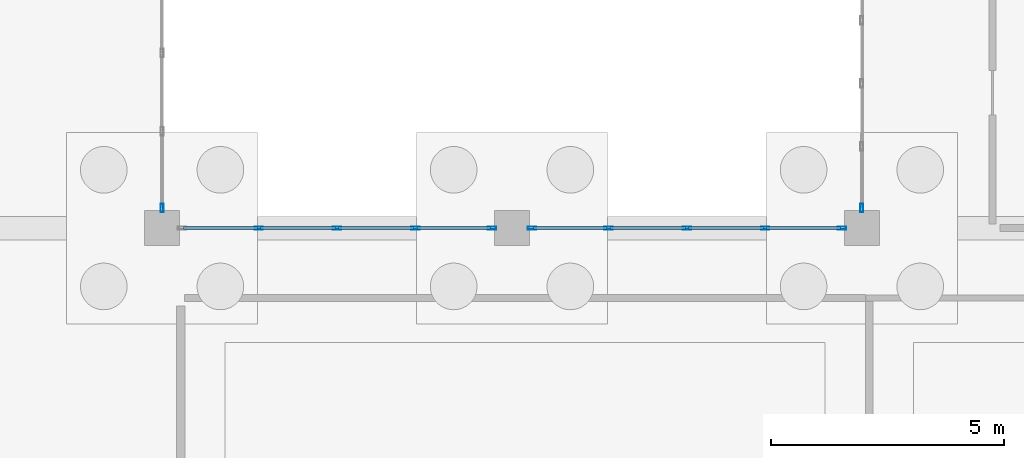
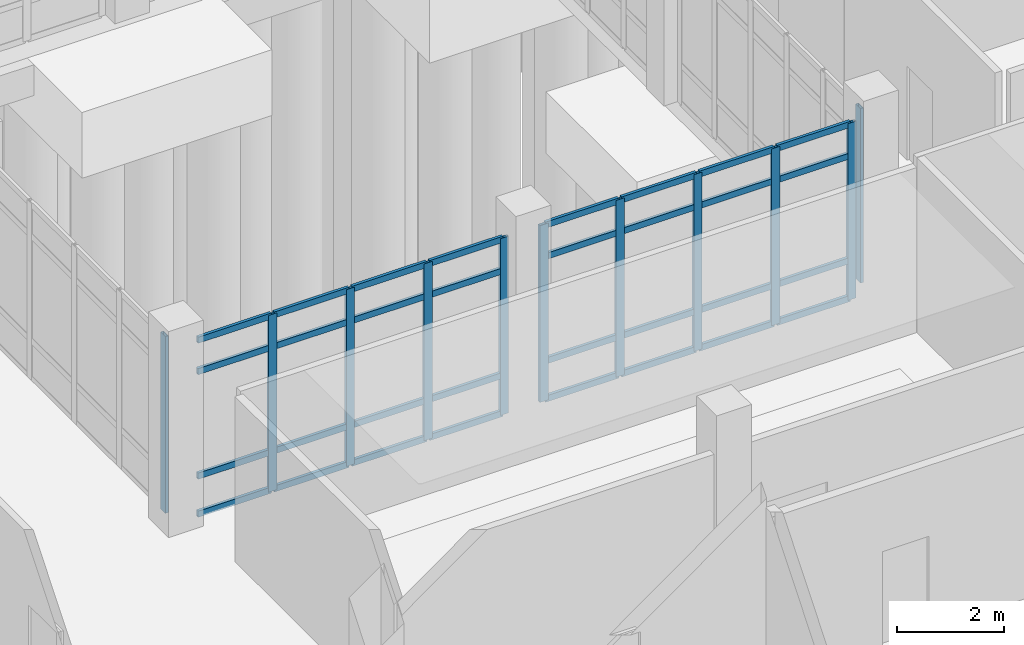
# One storey, part 26 of 173: 43 members, 4 elements without a shape of their own.
"""IFC4 building model written with IfcOpenShell, lengths in metres."""

import ifcopenshell
import ifcopenshell.guid

model = None  # the IFC model being written
_history = None  # IfcOwnerHistory: only IFC2X3 demands one
_inside = {}  # id of a spatial element -> (the spatial element, [elements in it])
_under = {}  # id of a project, library or spatial element -> (it, [spatial elements below it])
_declared = {}  # id of a project -> (the project, [libraries it declares])
_typed = {}  # id of a type object -> (the type object, [elements of that type])
_made_of = {}  # id of a material, layer set ... -> (it, [elements and type objects made of it])


def new_model(schema):
    """Start an empty IFC model of exactly this schema.

    Asked for "IFC4X3", IfcOpenShell would pick the latest addendum, in which some entities
    have other attributes; the version numbers below select the first issue.
    IFC2X3 requires an IfcOwnerHistory on every rooted entity: one is made here for all.
    """
    global model, _history
    if schema == "IFC4X3":
        model = ifcopenshell.file(schema_version=(4, 3, 0, 0))
    else:
        model = ifcopenshell.file(schema=schema)
    _inside.clear()
    _under.clear()
    _declared.clear()
    _typed.clear()
    _made_of.clear()
    _history = None
    if model.schema == "IFC2X3":
        org = make("IfcOrganization", Name="unknown")
        user = make(
            "IfcPersonAndOrganization",
            ThePerson=make("IfcPerson", FamilyName="unknown"),
            TheOrganization=org,
        )
        app = make(
            "IfcApplication",
            ApplicationDeveloper=org,
            Version="unknown",
            ApplicationFullName="unknown",
            ApplicationIdentifier="unknown",
        )
        _history = make(
            "IfcOwnerHistory",
            OwningUser=user,
            OwningApplication=app,
            ChangeAction="ADDED",
            CreationDate=0,
        )
    return model


def make(cls, **values):
    """One entity of the class cls with the attributes given. An attribute that is None is left unset."""
    return model.create_entity(
        cls, **{name: value for name, value in values.items() if value is not None}
    )


def rooted(cls, **values):
    """An entity with a GlobalId (a new one), such as an element, a storey or a relation."""
    return make(cls, GlobalId=ifcopenshell.guid.new(), OwnerHistory=_history, **values)


def si_unit(unit_type, name, prefix=None):
    """IfcSIUnit, for example si_unit("LENGTHUNIT", "METRE", prefix="MILLI")."""
    return make("IfcSIUnit", UnitType=unit_type, Prefix=prefix, Name=name)


def assignment(units):
    """IfcUnitAssignment: the units of a project."""
    return None if units is None else make("IfcUnitAssignment", Units=units)


def point(xyz):
    """IfcCartesianPoint."""
    return None if xyz is None else make("IfcCartesianPoint", Coordinates=xyz)


def direction(xyz):
    """IfcDirection."""
    return None if xyz is None else make("IfcDirection", DirectionRatios=xyz)


def frame(location, z_axis=None, x_axis=None):
    """IfcAxis2Placement3D, a coordinate frame: its origin and axes. An axis left out is left unset."""
    return make(
        "IfcAxis2Placement3D",
        Location=point(location),
        Axis=direction(z_axis),
        RefDirection=direction(x_axis),
    )


def frame_2d(location, x_axis=None):
    """IfcAxis2Placement2D, a coordinate frame in the plane: its origin and x axis."""
    return make(
        "IfcAxis2Placement2D", Location=point(location), RefDirection=direction(x_axis)
    )


def origin():
    """The frame at (0, 0, 0) with its axes left unset."""
    return frame((0.0, 0.0, 0.0))


def origin_2d():
    """The frame at (0, 0) in the plane with its x axis left unset."""
    return frame_2d((0.0, 0.0))


def place(relative_to, where):
    """IfcLocalPlacement: puts the frame where relative to a parent placement (None: the world)."""
    return make(
        "IfcLocalPlacement", PlacementRelTo=relative_to, RelativePlacement=where
    )


def context(
    kind, dimensions, precision=None, world=None, true_north=None, identifier=None
):
    """IfcGeometricRepresentationContext, for example the 3D "Model" context."""
    return make(
        "IfcGeometricRepresentationContext",
        ContextIdentifier=identifier,
        ContextType=kind,
        CoordinateSpaceDimension=dimensions,
        Precision=precision,
        WorldCoordinateSystem=world,
        TrueNorth=true_north,
    )


def subcontext(parent, identifier, kind, view, scale=None):
    """IfcGeometricRepresentationSubContext, for example "Body" below "Model"."""
    return make(
        "IfcGeometricRepresentationSubContext",
        ContextIdentifier=identifier,
        ContextType=kind,
        ParentContext=parent,
        TargetScale=scale,
        TargetView=view,
    )


def project(units=None, contexts=None):
    """IfcProject with its units and contexts."""
    return rooted(
        "IfcProject",
        Name="project",
        RepresentationContexts=contexts,
        UnitsInContext=assignment(units),
    )


def spatial(cls, under=None, at=None, **own):
    """A site, building, storey or space (cls), placed at a placement, below another one or the project."""
    s = rooted(cls, ObjectPlacement=at, **own)
    if under is not None:
        _under.setdefault(under.id(), (under, []))[1].append(s)
    return s


def profile(cls, at=None, kind="AREA", **sizes):
    """A parametric profile (cls). Its sizes go by their IFC names, for example OverallWidth=200.0."""
    return make(cls, ProfileType=kind, Position=at, **sizes)


def hollow_rectangle(**sizes):
    """IfcRectangleHollowProfileDef."""
    return profile("IfcRectangleHollowProfileDef", **sizes)


def extrude(swept, where, along, depth):
    """IfcExtrudedAreaSolid: the profile swept, set in the frame where, extruded along a direction by depth."""
    return make(
        "IfcExtrudedAreaSolid",
        SweptArea=swept,
        Position=where,
        ExtrudedDirection=direction(along),
        Depth=depth,
    )


def shape(context_of_items, identifier, shape_type, items):
    """IfcShapeRepresentation: the items that make up one representation, for example the "Body"."""
    return make(
        "IfcShapeRepresentation",
        ContextOfItems=context_of_items,
        RepresentationIdentifier=identifier,
        RepresentationType=shape_type,
        Items=items,
    )


def material(Name=None, Category=None):
    """IfcMaterial."""
    return make("IfcMaterial", Name=Name, Category=Category)


def layer(
    of_material, thickness, ventilated=None, Name=None, Category=None, Priority=None
):
    """IfcMaterialLayer: one layer of a wall or slab, of a material (None: an air gap)."""
    return make(
        "IfcMaterialLayer",
        Material=of_material,
        LayerThickness=thickness,
        IsVentilated=ventilated,
        Name=Name,
        Category=Category,
        Priority=Priority,
    )


def layer_set(layers, Name=None):
    """IfcMaterialLayerSet."""
    return make("IfcMaterialLayerSet", MaterialLayers=layers, LayerSetName=Name)


def material_profile(
    of_material, cross_section, Name=None, Category=None, Priority=None
):
    """IfcMaterialProfile: a cross section and its material."""
    return make(
        "IfcMaterialProfile",
        Name=Name,
        Material=of_material,
        Profile=cross_section,
        Priority=Priority,
        Category=Category,
    )


def profile_set(profiles, Name=None, composite=None):
    """IfcMaterialProfileSet."""
    return make(
        "IfcMaterialProfileSet",
        Name=Name,
        MaterialProfiles=profiles,
        CompositeProfile=composite,
    )


def made_of(thing, what):
    """Note that an element or type object is made of a material, layer set ...; save() writes the relation."""
    if what is not None:
        _made_of.setdefault(what.id(), (what, []))[1].append(thing)
    return thing


def type_object(cls, material=None, **own):
    """A type object (cls), such as IfcWallType, which elements share."""
    return made_of(rooted(cls, **own), material)


def element(
    cls,
    number,
    at=None,
    inside=None,
    cuts=None,
    type_object=None,
    material=None,
    context=None,
    identifier="Body",
    shape_type=None,
    held_by="IfcProductDefinitionShape",
    body=None,
    shapes=None,
    **own,
):
    """One element of the class cls, such as IfcWall. Its Tag is "e" and its number.

    at: its placement. inside: the storey or other place that contains it. cuts: it is an
    opening in that element (IfcRelVoidsElement). A single representation is given by context,
    identifier, shape_type and body (its items); several are given by shapes. held_by: the class
    of the entity that holds the representations. save() writes the other relations.
    """
    e = rooted(cls, Tag="e%d" % number, ObjectPlacement=at, **own)
    if body is not None:
        shapes = [shape(context, identifier, shape_type, body)]
    if shapes is not None:
        e.Representation = make(held_by, Representations=shapes)
    if inside is not None:
        _inside.setdefault(inside.id(), (inside, []))[1].append(e)
    if cuts is not None:
        rooted(
            "IfcRelVoidsElement", RelatingBuildingElement=cuts, RelatedOpeningElement=e
        )
    if type_object is not None:
        _typed.setdefault(type_object.id(), (type_object, []))[1].append(e)
    return made_of(e, material)


def aggregate(whole, parts):
    """IfcRelAggregates: a whole, such as a stair, and the parts it consists of."""
    return rooted("IfcRelAggregates", RelatingObject=whole, RelatedObjects=parts)


def save(model, path):
    """Write the relations noted so far, then the file.

    IfcRelAggregates (storeys below a building ...), IfcRelContainedInSpatialStructure (elements
    in a storey), IfcRelDefinesByType, IfcRelAssociatesMaterial and IfcRelDeclares: one each for
    every whole, place, type object, material and project.
    """
    for whole, parts in _under.values():
        aggregate(whole, parts)
    for where, things in _inside.values():
        rooted(
            "IfcRelContainedInSpatialStructure",
            RelatedElements=things,
            RelatingStructure=where,
        )
    for kind, things in _typed.values():
        rooted("IfcRelDefinesByType", RelatedObjects=things, RelatingType=kind)
    for what, things in _made_of.values():
        rooted("IfcRelAssociatesMaterial", RelatedObjects=things, RelatingMaterial=what)
    for by, libraries in _declared.values():
        rooted("IfcRelDeclares", RelatingContext=by, RelatedDefinitions=libraries)
    model.write(path)


model = new_model("IFC4")

# Units and contexts
model_context = context("Model", 3, precision=1e-05, world=origin(), true_north=direction((0.0, 1.0)))
body_context = subcontext(model_context, "Body", "Model", "MODEL_VIEW")
ifc_project = project(units=[si_unit("LENGTHUNIT", "METRE"), si_unit("AREAUNIT", "SQUARE_METRE"), si_unit("VOLUMEUNIT", "CUBIC_METRE"), si_unit("PLANEANGLEUNIT", "RADIAN"), si_unit("MASSUNIT", "GRAM", prefix="KILO")], contexts=[model_context])

# Site, building, storey
site_placement = place(None, origin())
site = spatial("IfcSite", under=ifc_project, at=site_placement, CompositionType="ELEMENT")
building_placement = place(site_placement, origin())
building = spatial("IfcBuilding", under=site, at=building_placement, Name="Mawjan Specialist Oncology Clinic", CompositionType="ELEMENT")
storey_placement = place(building_placement, origin())
storey = spatial("IfcBuildingStorey", under=building, at=storey_placement, Name="L00", CompositionType="ELEMENT", Elevation=0.0)

# Curtain wall, members
ifc_material_1 = material(Name="Unitised spectrally selective aluminium curtain wall", Category="aluminium")
ifc_layer_1 = layer(ifc_material_1, 0.179931640625, Name="Unitised spectrally selective aluminium curtain wall", Category="aluminium")
ifc_layer_set_1 = layer_set([ifc_layer_1], Name="Unitised spectrally selective aluminium curtain wall")
curtain_wall_type_1 = type_object("IfcCurtainWallType", Name="CW-02", PredefinedType="NOTDEFINED", material=ifc_layer_set_1)
curtain_wall_1_placement = place(storey_placement, origin())
curtain_wall_1 = element("IfcCurtainWall", 1, at=curtain_wall_1_placement, inside=storey, type_object=curtain_wall_type_1, Name="L00 Unitised Curtain Wall CW-L00-048", PredefinedType="NOTDEFINED")
ifc_material_2 = material(Name="Thermally broken aluminium 6063-T6", Category="aluminium")
ifc_material_profile_1 = material_profile(ifc_material_2, hollow_rectangle(XDim=0.06494140625, YDim=0.179931640625, WallThickness=0.00390625, at=origin_2d()), Name="ALU MULLION 180x65x4", Category="aluminium")
ifc_profile_set_1 = profile_set([ifc_material_profile_1], Name="Thermally broken aluminium 6063-T6")
member_type_1 = type_object("IfcMemberType", Name="CW-M180", PredefinedType="MULLION", material=ifc_profile_set_1)
member_1_placement = place(storey_placement, frame((17.072509765625, 15.800048828125, 0.0), z_axis=(0.0, 0.0, 1.0), x_axis=(0.0, 1.0, 0.0)))
member_1 = element("IfcMember", 2, at=member_1_placement, type_object=member_type_1, Name="CW-02 mullion 2", PredefinedType="MULLION", context=body_context, shape_type="SweptSolid", body=[
    extrude(hollow_rectangle(XDim=0.06494140625, YDim=0.179931640625, WallThickness=0.00390625, at=origin_2d()), origin(), (0.0, 0.0, 1.0), 4.034912109375),
])
member_2_placement = place(storey_placement, frame((18.75, 15.800048828125, 0.0), z_axis=(0.0, 0.0, 1.0), x_axis=(0.0, 1.0, 0.0)))
member_2 = element("IfcMember", 3, at=member_2_placement, type_object=member_type_1, Name="CW-02 mullion 3", PredefinedType="MULLION", context=body_context, shape_type="SweptSolid", body=[
    extrude(hollow_rectangle(XDim=0.06494140625, YDim=0.179931640625, WallThickness=0.00390625, at=origin_2d()), origin(), (0.0, 0.0, 1.0), 4.034912109375),
])
member_3_placement = place(storey_placement, frame((20.427490234375, 15.800048828125, 0.0), z_axis=(0.0, 0.0, 1.0), x_axis=(0.0, 1.0, 0.0)))
member_3 = element("IfcMember", 4, at=member_3_placement, type_object=member_type_1, Name="CW-02 mullion 4", PredefinedType="MULLION", context=body_context, shape_type="SweptSolid", body=[
    extrude(hollow_rectangle(XDim=0.06494140625, YDim=0.179931640625, WallThickness=0.00390625, at=origin_2d()), origin(), (0.0, 0.0, 1.0), 4.034912109375),
])
member_4_placement = place(storey_placement, frame((22.072509765625, 15.800048828125, 0.0), z_axis=(0.0, 0.0, 1.0), x_axis=(0.0, 1.0, 0.0)))
member_4 = element("IfcMember", 5, at=member_4_placement, type_object=member_type_1, Name="CW-02 mullion 5", PredefinedType="MULLION", context=body_context, shape_type="SweptSolid", body=[
    extrude(hollow_rectangle(XDim=0.06494140625, YDim=0.179931640625, WallThickness=0.00390625, at=origin_2d()), origin(), (0.0, 0.0, 1.0), 4.034912109375),
])

curtain_wall_2_placement = place(storey_placement, origin())
curtain_wall_2 = element("IfcCurtainWall", 6, at=curtain_wall_2_placement, inside=storey, type_object=curtain_wall_type_1, Name="L00 Unitised Curtain Wall CW-L00-049", PredefinedType="NOTDEFINED")
member_5_placement = place(storey_placement, frame((22.927490234375, 15.800048828125, 0.0), z_axis=(0.0, 0.0, 1.0), x_axis=(0.0, 1.0, 0.0)))
member_5 = element("IfcMember", 7, at=member_5_placement, type_object=member_type_1, Name="CW-02 mullion 1", PredefinedType="MULLION", context=body_context, shape_type="SweptSolid", body=[
    extrude(hollow_rectangle(XDim=0.06494140625, YDim=0.179931640625, WallThickness=0.00390625, at=origin_2d()), origin(), (0.0, 0.0, 1.0), 4.034912109375),
])
member_6_placement = place(storey_placement, frame((24.572509765625, 15.800048828125, 0.0), z_axis=(0.0, 0.0, 1.0), x_axis=(0.0, 1.0, 0.0)))
member_6 = element("IfcMember", 8, at=member_6_placement, type_object=member_type_1, Name="CW-02 mullion 2", PredefinedType="MULLION", context=body_context, shape_type="SweptSolid", body=[
    extrude(hollow_rectangle(XDim=0.06494140625, YDim=0.179931640625, WallThickness=0.00390625, at=origin_2d()), origin(), (0.0, 0.0, 1.0), 4.034912109375),
])
member_7_placement = place(storey_placement, frame((26.25, 15.800048828125, 0.0), z_axis=(0.0, 0.0, 1.0), x_axis=(0.0, 1.0, 0.0)))
member_7 = element("IfcMember", 9, at=member_7_placement, type_object=member_type_1, Name="CW-02 mullion 3", PredefinedType="MULLION", context=body_context, shape_type="SweptSolid", body=[
    extrude(hollow_rectangle(XDim=0.06494140625, YDim=0.179931640625, WallThickness=0.00390625, at=origin_2d()), origin(), (0.0, 0.0, 1.0), 4.034912109375),
])
member_8_placement = place(storey_placement, frame((27.927490234375, 15.800048828125, 0.0), z_axis=(0.0, 0.0, 1.0), x_axis=(0.0, 1.0, 0.0)))
member_8 = element("IfcMember", 10, at=member_8_placement, type_object=member_type_1, Name="CW-02 mullion 4", PredefinedType="MULLION", context=body_context, shape_type="SweptSolid", body=[
    extrude(hollow_rectangle(XDim=0.06494140625, YDim=0.179931640625, WallThickness=0.00390625, at=origin_2d()), origin(), (0.0, 0.0, 1.0), 4.034912109375),
])
member_9_placement = place(storey_placement, frame((29.572509765625, 15.800048828125, 0.0), z_axis=(0.0, 0.0, 1.0), x_axis=(0.0, 1.0, 0.0)))
member_9 = element("IfcMember", 11, at=member_9_placement, type_object=member_type_1, Name="CW-02 mullion 5", PredefinedType="MULLION", context=body_context, shape_type="SweptSolid", body=[
    extrude(hollow_rectangle(XDim=0.06494140625, YDim=0.179931640625, WallThickness=0.00390625, at=origin_2d()), origin(), (0.0, 0.0, 1.0), 4.034912109375),
])

# Curtain wall, member
ifc_material_3 = material(Name="Unitised spectrally selective aluminium curtain wall", Category="aluminium")
ifc_layer_2 = layer(ifc_material_3, 0.179931640625, Name="Unitised spectrally selective aluminium curtain wall", Category="aluminium")
ifc_layer_set_2 = layer_set([ifc_layer_2], Name="Unitised spectrally selective aluminium curtain wall")
curtain_wall_type_2 = type_object("IfcCurtainWallType", Name="CW-28", PredefinedType="NOTDEFINED", material=ifc_layer_set_2)
curtain_wall_3_placement = place(storey_placement, origin())
curtain_wall_3 = element("IfcCurtainWall", 12, at=curtain_wall_3_placement, inside=storey, type_object=curtain_wall_type_2, Name="L00 Unitised Curtain Wall CW-L00-050", PredefinedType="NOTDEFINED")
member_10_placement = place(storey_placement, frame((30.0, 16.2275390625, 0.0), z_axis=(0.0, 0.0, 1.0), x_axis=(-1.0, 0.0, 0.0)))
member_10 = element("IfcMember", 13, at=member_10_placement, type_object=member_type_1, Name="CW-28 mullion 1", PredefinedType="MULLION", context=body_context, shape_type="SweptSolid", body=[
    extrude(hollow_rectangle(XDim=0.06494140625, YDim=0.179931640625, WallThickness=0.00390625, at=origin_2d()), origin(), (0.0, 0.0, 1.0), 3.985107421875),
])
aggregate(curtain_wall_3, [member_10])

curtain_wall_4_placement = place(storey_placement, origin())
curtain_wall_4 = element("IfcCurtainWall", 14, at=curtain_wall_4_placement, inside=storey, type_object=curtain_wall_type_1, Name="L00 Unitised Curtain Wall CW-L00-055", PredefinedType="NOTDEFINED")
member_11_placement = place(storey_placement, frame((15.0, 16.2275390625, 0.0), z_axis=(0.0, 0.0, 1.0), x_axis=(1.0, 0.0, 0.0)))
member_11 = element("IfcMember", 15, at=member_11_placement, type_object=member_type_1, Name="CW-02 mullion 5", PredefinedType="MULLION", context=body_context, shape_type="SweptSolid", body=[
    extrude(hollow_rectangle(XDim=0.06494140625, YDim=0.179931640625, WallThickness=0.00390625, at=origin_2d()), origin(), (0.0, 0.0, 1.0), 4.034912109375),
])
aggregate(curtain_wall_4, [member_11])

# Member
ifc_material_4 = material(Name="Thermally broken aluminium 6063-T6", Category="aluminium")
ifc_material_profile_2 = material_profile(ifc_material_4, hollow_rectangle(XDim=0.06494140625, YDim=0.139892578125, WallThickness=0.00390625, at=origin_2d()), Name="ALU TRANSOM 140x65x4", Category="aluminium")
ifc_profile_set_2 = profile_set([ifc_material_profile_2], Name="Thermally broken aluminium 6063-T6")
member_type_2 = type_object("IfcMemberType", Name="CW-T140", PredefinedType="USERDEFINED", material=ifc_profile_set_2)
member_12_placement = place(storey_placement, frame((15.4599609375, 15.800048828125, 0.032470703125), z_axis=(1.0, 0.0, 0.0), x_axis=(0.0, 1.0, 0.0)))
member_12 = element("IfcMember", 16, at=member_12_placement, type_object=member_type_2, Name="CW-02 transom 1.1", ObjectType="TRANSOM", PredefinedType="USERDEFINED", context=body_context, shape_type="SweptSolid", body=[
    extrude(hollow_rectangle(XDim=0.06494140625, YDim=0.139892578125, WallThickness=0.00390625, at=origin_2d()), origin(), (0.0, 0.0, 1.0), 1.580078125),
])

member_13_placement = place(storey_placement, frame((15.4599609375, 15.800048828125, 0.89990234375), z_axis=(1.0, 0.0, 0.0), x_axis=(0.0, 1.0, 0.0)))
member_13 = element("IfcMember", 17, at=member_13_placement, type_object=member_type_2, Name="CW-02 transom 1.2", ObjectType="TRANSOM", PredefinedType="USERDEFINED", context=body_context, shape_type="SweptSolid", body=[
    extrude(hollow_rectangle(XDim=0.06494140625, YDim=0.139892578125, WallThickness=0.00390625, at=origin_2d()), origin(), (0.0, 0.0, 1.0), 1.580078125),
])

member_14_placement = place(storey_placement, frame((15.4599609375, 15.800048828125, 3.284912109375), z_axis=(1.0, 0.0, 0.0), x_axis=(0.0, 1.0, 0.0)))
member_14 = element("IfcMember", 18, at=member_14_placement, type_object=member_type_2, Name="CW-02 transom 1.3", ObjectType="TRANSOM", PredefinedType="USERDEFINED", context=body_context, shape_type="SweptSolid", body=[
    extrude(hollow_rectangle(XDim=0.06494140625, YDim=0.139892578125, WallThickness=0.00390625, at=origin_2d()), origin(), (0.0, 0.0, 1.0), 1.580078125),
])

member_15_placement = place(storey_placement, frame((15.4599609375, 15.800048828125, 4.00244140625), z_axis=(1.0, 0.0, 0.0), x_axis=(0.0, 1.0, 0.0)))
member_15 = element("IfcMember", 19, at=member_15_placement, type_object=member_type_2, Name="CW-02 transom 1.4", ObjectType="TRANSOM", PredefinedType="USERDEFINED", context=body_context, shape_type="SweptSolid", body=[
    extrude(hollow_rectangle(XDim=0.06494140625, YDim=0.139892578125, WallThickness=0.00390625, at=origin_2d()), origin(), (0.0, 0.0, 1.0), 1.580078125),
])

member_16_placement = place(storey_placement, frame((17.10498046875, 15.800048828125, 0.032470703125), z_axis=(1.0, 0.0, 0.0), x_axis=(0.0, 1.0, 0.0)))
member_16 = element("IfcMember", 20, at=member_16_placement, type_object=member_type_2, Name="CW-02 transom 2.1", ObjectType="TRANSOM", PredefinedType="USERDEFINED", context=body_context, shape_type="SweptSolid", body=[
    extrude(hollow_rectangle(XDim=0.06494140625, YDim=0.139892578125, WallThickness=0.00390625, at=origin_2d()), origin(), (0.0, 0.0, 1.0), 1.612548828125),
])

member_17_placement = place(storey_placement, frame((17.10498046875, 15.800048828125, 0.89990234375), z_axis=(1.0, 0.0, 0.0), x_axis=(0.0, 1.0, 0.0)))
member_17 = element("IfcMember", 21, at=member_17_placement, type_object=member_type_2, Name="CW-02 transom 2.2", ObjectType="TRANSOM", PredefinedType="USERDEFINED", context=body_context, shape_type="SweptSolid", body=[
    extrude(hollow_rectangle(XDim=0.06494140625, YDim=0.139892578125, WallThickness=0.00390625, at=origin_2d()), origin(), (0.0, 0.0, 1.0), 1.612548828125),
])

member_18_placement = place(storey_placement, frame((17.10498046875, 15.800048828125, 3.284912109375), z_axis=(1.0, 0.0, 0.0), x_axis=(0.0, 1.0, 0.0)))
member_18 = element("IfcMember", 22, at=member_18_placement, type_object=member_type_2, Name="CW-02 transom 2.3", ObjectType="TRANSOM", PredefinedType="USERDEFINED", context=body_context, shape_type="SweptSolid", body=[
    extrude(hollow_rectangle(XDim=0.06494140625, YDim=0.139892578125, WallThickness=0.00390625, at=origin_2d()), origin(), (0.0, 0.0, 1.0), 1.612548828125),
])

member_19_placement = place(storey_placement, frame((17.10498046875, 15.800048828125, 4.00244140625), z_axis=(1.0, 0.0, 0.0), x_axis=(0.0, 1.0, 0.0)))
member_19 = element("IfcMember", 23, at=member_19_placement, type_object=member_type_2, Name="CW-02 transom 2.4", ObjectType="TRANSOM", PredefinedType="USERDEFINED", context=body_context, shape_type="SweptSolid", body=[
    extrude(hollow_rectangle(XDim=0.06494140625, YDim=0.139892578125, WallThickness=0.00390625, at=origin_2d()), origin(), (0.0, 0.0, 1.0), 1.612548828125),
])

member_20_placement = place(storey_placement, frame((18.782470703125, 15.800048828125, 0.032470703125), z_axis=(1.0, 0.0, 0.0), x_axis=(0.0, 1.0, 0.0)))
member_20 = element("IfcMember", 24, at=member_20_placement, type_object=member_type_2, Name="CW-02 transom 3.1", ObjectType="TRANSOM", PredefinedType="USERDEFINED", context=body_context, shape_type="SweptSolid", body=[
    extrude(hollow_rectangle(XDim=0.06494140625, YDim=0.139892578125, WallThickness=0.00390625, at=origin_2d()), origin(), (0.0, 0.0, 1.0), 1.612548828125),
])

member_21_placement = place(storey_placement, frame((18.782470703125, 15.800048828125, 0.89990234375), z_axis=(1.0, 0.0, 0.0), x_axis=(0.0, 1.0, 0.0)))
member_21 = element("IfcMember", 25, at=member_21_placement, type_object=member_type_2, Name="CW-02 transom 3.2", ObjectType="TRANSOM", PredefinedType="USERDEFINED", context=body_context, shape_type="SweptSolid", body=[
    extrude(hollow_rectangle(XDim=0.06494140625, YDim=0.139892578125, WallThickness=0.00390625, at=origin_2d()), origin(), (0.0, 0.0, 1.0), 1.612548828125),
])

member_22_placement = place(storey_placement, frame((18.782470703125, 15.800048828125, 3.284912109375), z_axis=(1.0, 0.0, 0.0), x_axis=(0.0, 1.0, 0.0)))
member_22 = element("IfcMember", 26, at=member_22_placement, type_object=member_type_2, Name="CW-02 transom 3.3", ObjectType="TRANSOM", PredefinedType="USERDEFINED", context=body_context, shape_type="SweptSolid", body=[
    extrude(hollow_rectangle(XDim=0.06494140625, YDim=0.139892578125, WallThickness=0.00390625, at=origin_2d()), origin(), (0.0, 0.0, 1.0), 1.612548828125),
])

member_23_placement = place(storey_placement, frame((18.782470703125, 15.800048828125, 4.00244140625), z_axis=(1.0, 0.0, 0.0), x_axis=(0.0, 1.0, 0.0)))
member_23 = element("IfcMember", 27, at=member_23_placement, type_object=member_type_2, Name="CW-02 transom 3.4", ObjectType="TRANSOM", PredefinedType="USERDEFINED", context=body_context, shape_type="SweptSolid", body=[
    extrude(hollow_rectangle(XDim=0.06494140625, YDim=0.139892578125, WallThickness=0.00390625, at=origin_2d()), origin(), (0.0, 0.0, 1.0), 1.612548828125),
])

member_24_placement = place(storey_placement, frame((20.4599609375, 15.800048828125, 0.032470703125), z_axis=(1.0, 0.0, 0.0), x_axis=(0.0, 1.0, 0.0)))
member_24 = element("IfcMember", 28, at=member_24_placement, type_object=member_type_2, Name="CW-02 transom 4.1", ObjectType="TRANSOM", PredefinedType="USERDEFINED", context=body_context, shape_type="SweptSolid", body=[
    extrude(hollow_rectangle(XDim=0.06494140625, YDim=0.139892578125, WallThickness=0.00390625, at=origin_2d()), origin(), (0.0, 0.0, 1.0), 1.580078125),
])

member_25_placement = place(storey_placement, frame((20.4599609375, 15.800048828125, 0.89990234375), z_axis=(1.0, 0.0, 0.0), x_axis=(0.0, 1.0, 0.0)))
member_25 = element("IfcMember", 29, at=member_25_placement, type_object=member_type_2, Name="CW-02 transom 4.2", ObjectType="TRANSOM", PredefinedType="USERDEFINED", context=body_context, shape_type="SweptSolid", body=[
    extrude(hollow_rectangle(XDim=0.06494140625, YDim=0.139892578125, WallThickness=0.00390625, at=origin_2d()), origin(), (0.0, 0.0, 1.0), 1.580078125),
])

member_26_placement = place(storey_placement, frame((20.4599609375, 15.800048828125, 3.284912109375), z_axis=(1.0, 0.0, 0.0), x_axis=(0.0, 1.0, 0.0)))
member_26 = element("IfcMember", 30, at=member_26_placement, type_object=member_type_2, Name="CW-02 transom 4.3", ObjectType="TRANSOM", PredefinedType="USERDEFINED", context=body_context, shape_type="SweptSolid", body=[
    extrude(hollow_rectangle(XDim=0.06494140625, YDim=0.139892578125, WallThickness=0.00390625, at=origin_2d()), origin(), (0.0, 0.0, 1.0), 1.580078125),
])

member_27_placement = place(storey_placement, frame((20.4599609375, 15.800048828125, 4.00244140625), z_axis=(1.0, 0.0, 0.0), x_axis=(0.0, 1.0, 0.0)))
member_27 = element("IfcMember", 31, at=member_27_placement, type_object=member_type_2, Name="CW-02 transom 4.4", ObjectType="TRANSOM", PredefinedType="USERDEFINED", context=body_context, shape_type="SweptSolid", body=[
    extrude(hollow_rectangle(XDim=0.06494140625, YDim=0.139892578125, WallThickness=0.00390625, at=origin_2d()), origin(), (0.0, 0.0, 1.0), 1.580078125),
])

aggregate(curtain_wall_1, [member_1, member_2, member_3, member_4, member_12, member_13, member_14, member_15, member_16, member_17, member_18, member_19, member_20, member_21, member_22, member_23, member_24, member_25, member_26, member_27])

member_28_placement = place(storey_placement, frame((22.9599609375, 15.800048828125, 0.032470703125), z_axis=(1.0, 0.0, 0.0), x_axis=(0.0, 1.0, 0.0)))
member_28 = element("IfcMember", 32, at=member_28_placement, type_object=member_type_2, Name="CW-02 transom 1.1", ObjectType="TRANSOM", PredefinedType="USERDEFINED", context=body_context, shape_type="SweptSolid", body=[
    extrude(hollow_rectangle(XDim=0.06494140625, YDim=0.139892578125, WallThickness=0.00390625, at=origin_2d()), origin(), (0.0, 0.0, 1.0), 1.580078125),
])

member_29_placement = place(storey_placement, frame((22.9599609375, 15.800048828125, 0.89990234375), z_axis=(1.0, 0.0, 0.0), x_axis=(0.0, 1.0, 0.0)))
member_29 = element("IfcMember", 33, at=member_29_placement, type_object=member_type_2, Name="CW-02 transom 1.2", ObjectType="TRANSOM", PredefinedType="USERDEFINED", context=body_context, shape_type="SweptSolid", body=[
    extrude(hollow_rectangle(XDim=0.06494140625, YDim=0.139892578125, WallThickness=0.00390625, at=origin_2d()), origin(), (0.0, 0.0, 1.0), 1.580078125),
])

member_30_placement = place(storey_placement, frame((22.9599609375, 15.800048828125, 3.284912109375), z_axis=(1.0, 0.0, 0.0), x_axis=(0.0, 1.0, 0.0)))
member_30 = element("IfcMember", 34, at=member_30_placement, type_object=member_type_2, Name="CW-02 transom 1.3", ObjectType="TRANSOM", PredefinedType="USERDEFINED", context=body_context, shape_type="SweptSolid", body=[
    extrude(hollow_rectangle(XDim=0.06494140625, YDim=0.139892578125, WallThickness=0.00390625, at=origin_2d()), origin(), (0.0, 0.0, 1.0), 1.580078125),
])

member_31_placement = place(storey_placement, frame((22.9599609375, 15.800048828125, 4.00244140625), z_axis=(1.0, 0.0, 0.0), x_axis=(0.0, 1.0, 0.0)))
member_31 = element("IfcMember", 35, at=member_31_placement, type_object=member_type_2, Name="CW-02 transom 1.4", ObjectType="TRANSOM", PredefinedType="USERDEFINED", context=body_context, shape_type="SweptSolid", body=[
    extrude(hollow_rectangle(XDim=0.06494140625, YDim=0.139892578125, WallThickness=0.00390625, at=origin_2d()), origin(), (0.0, 0.0, 1.0), 1.580078125),
])

member_32_placement = place(storey_placement, frame((24.60498046875, 15.800048828125, 0.032470703125), z_axis=(1.0, 0.0, 0.0), x_axis=(0.0, 1.0, 0.0)))
member_32 = element("IfcMember", 36, at=member_32_placement, type_object=member_type_2, Name="CW-02 transom 2.1", ObjectType="TRANSOM", PredefinedType="USERDEFINED", context=body_context, shape_type="SweptSolid", body=[
    extrude(hollow_rectangle(XDim=0.06494140625, YDim=0.139892578125, WallThickness=0.00390625, at=origin_2d()), origin(), (0.0, 0.0, 1.0), 1.612548828125),
])

member_33_placement = place(storey_placement, frame((24.60498046875, 15.800048828125, 0.89990234375), z_axis=(1.0, 0.0, 0.0), x_axis=(0.0, 1.0, 0.0)))
member_33 = element("IfcMember", 37, at=member_33_placement, type_object=member_type_2, Name="CW-02 transom 2.2", ObjectType="TRANSOM", PredefinedType="USERDEFINED", context=body_context, shape_type="SweptSolid", body=[
    extrude(hollow_rectangle(XDim=0.06494140625, YDim=0.139892578125, WallThickness=0.00390625, at=origin_2d()), origin(), (0.0, 0.0, 1.0), 1.612548828125),
])

member_34_placement = place(storey_placement, frame((24.60498046875, 15.800048828125, 3.284912109375), z_axis=(1.0, 0.0, 0.0), x_axis=(0.0, 1.0, 0.0)))
member_34 = element("IfcMember", 38, at=member_34_placement, type_object=member_type_2, Name="CW-02 transom 2.3", ObjectType="TRANSOM", PredefinedType="USERDEFINED", context=body_context, shape_type="SweptSolid", body=[
    extrude(hollow_rectangle(XDim=0.06494140625, YDim=0.139892578125, WallThickness=0.00390625, at=origin_2d()), origin(), (0.0, 0.0, 1.0), 1.612548828125),
])

member_35_placement = place(storey_placement, frame((24.60498046875, 15.800048828125, 4.00244140625), z_axis=(1.0, 0.0, 0.0), x_axis=(0.0, 1.0, 0.0)))
member_35 = element("IfcMember", 39, at=member_35_placement, type_object=member_type_2, Name="CW-02 transom 2.4", ObjectType="TRANSOM", PredefinedType="USERDEFINED", context=body_context, shape_type="SweptSolid", body=[
    extrude(hollow_rectangle(XDim=0.06494140625, YDim=0.139892578125, WallThickness=0.00390625, at=origin_2d()), origin(), (0.0, 0.0, 1.0), 1.612548828125),
])

member_36_placement = place(storey_placement, frame((26.282470703125, 15.800048828125, 0.032470703125), z_axis=(1.0, 0.0, 0.0), x_axis=(0.0, 1.0, 0.0)))
member_36 = element("IfcMember", 40, at=member_36_placement, type_object=member_type_2, Name="CW-02 transom 3.1", ObjectType="TRANSOM", PredefinedType="USERDEFINED", context=body_context, shape_type="SweptSolid", body=[
    extrude(hollow_rectangle(XDim=0.06494140625, YDim=0.139892578125, WallThickness=0.00390625, at=origin_2d()), origin(), (0.0, 0.0, 1.0), 1.612548828125),
])

member_37_placement = place(storey_placement, frame((26.282470703125, 15.800048828125, 0.89990234375), z_axis=(1.0, 0.0, 0.0), x_axis=(0.0, 1.0, 0.0)))
member_37 = element("IfcMember", 41, at=member_37_placement, type_object=member_type_2, Name="CW-02 transom 3.2", ObjectType="TRANSOM", PredefinedType="USERDEFINED", context=body_context, shape_type="SweptSolid", body=[
    extrude(hollow_rectangle(XDim=0.06494140625, YDim=0.139892578125, WallThickness=0.00390625, at=origin_2d()), origin(), (0.0, 0.0, 1.0), 1.612548828125),
])

member_38_placement = place(storey_placement, frame((26.282470703125, 15.800048828125, 3.284912109375), z_axis=(1.0, 0.0, 0.0), x_axis=(0.0, 1.0, 0.0)))
member_38 = element("IfcMember", 42, at=member_38_placement, type_object=member_type_2, Name="CW-02 transom 3.3", ObjectType="TRANSOM", PredefinedType="USERDEFINED", context=body_context, shape_type="SweptSolid", body=[
    extrude(hollow_rectangle(XDim=0.06494140625, YDim=0.139892578125, WallThickness=0.00390625, at=origin_2d()), origin(), (0.0, 0.0, 1.0), 1.612548828125),
])

member_39_placement = place(storey_placement, frame((26.282470703125, 15.800048828125, 4.00244140625), z_axis=(1.0, 0.0, 0.0), x_axis=(0.0, 1.0, 0.0)))
member_39 = element("IfcMember", 43, at=member_39_placement, type_object=member_type_2, Name="CW-02 transom 3.4", ObjectType="TRANSOM", PredefinedType="USERDEFINED", context=body_context, shape_type="SweptSolid", body=[
    extrude(hollow_rectangle(XDim=0.06494140625, YDim=0.139892578125, WallThickness=0.00390625, at=origin_2d()), origin(), (0.0, 0.0, 1.0), 1.612548828125),
])

member_40_placement = place(storey_placement, frame((27.9599609375, 15.800048828125, 0.032470703125), z_axis=(1.0, 0.0, 0.0), x_axis=(0.0, 1.0, 0.0)))
member_40 = element("IfcMember", 44, at=member_40_placement, type_object=member_type_2, Name="CW-02 transom 4.1", ObjectType="TRANSOM", PredefinedType="USERDEFINED", context=body_context, shape_type="SweptSolid", body=[
    extrude(hollow_rectangle(XDim=0.06494140625, YDim=0.139892578125, WallThickness=0.00390625, at=origin_2d()), origin(), (0.0, 0.0, 1.0), 1.580078125),
])

member_41_placement = place(storey_placement, frame((27.9599609375, 15.800048828125, 0.89990234375), z_axis=(1.0, 0.0, 0.0), x_axis=(0.0, 1.0, 0.0)))
member_41 = element("IfcMember", 45, at=member_41_placement, type_object=member_type_2, Name="CW-02 transom 4.2", ObjectType="TRANSOM", PredefinedType="USERDEFINED", context=body_context, shape_type="SweptSolid", body=[
    extrude(hollow_rectangle(XDim=0.06494140625, YDim=0.139892578125, WallThickness=0.00390625, at=origin_2d()), origin(), (0.0, 0.0, 1.0), 1.580078125),
])

member_42_placement = place(storey_placement, frame((27.9599609375, 15.800048828125, 3.284912109375), z_axis=(1.0, 0.0, 0.0), x_axis=(0.0, 1.0, 0.0)))
member_42 = element("IfcMember", 46, at=member_42_placement, type_object=member_type_2, Name="CW-02 transom 4.3", ObjectType="TRANSOM", PredefinedType="USERDEFINED", context=body_context, shape_type="SweptSolid", body=[
    extrude(hollow_rectangle(XDim=0.06494140625, YDim=0.139892578125, WallThickness=0.00390625, at=origin_2d()), origin(), (0.0, 0.0, 1.0), 1.580078125),
])

member_43_placement = place(storey_placement, frame((27.9599609375, 15.800048828125, 4.00244140625), z_axis=(1.0, 0.0, 0.0), x_axis=(0.0, 1.0, 0.0)))
member_43 = element("IfcMember", 47, at=member_43_placement, type_object=member_type_2, Name="CW-02 transom 4.4", ObjectType="TRANSOM", PredefinedType="USERDEFINED", context=body_context, shape_type="SweptSolid", body=[
    extrude(hollow_rectangle(XDim=0.06494140625, YDim=0.139892578125, WallThickness=0.00390625, at=origin_2d()), origin(), (0.0, 0.0, 1.0), 1.580078125),
])

aggregate(curtain_wall_2, [member_5, member_6, member_7, member_8, member_9, member_28, member_29, member_30, member_31, member_32, member_33, member_34, member_35, member_36, member_37, member_38, member_39, member_40, member_41, member_42, member_43])

save(model, "model.ifc")
